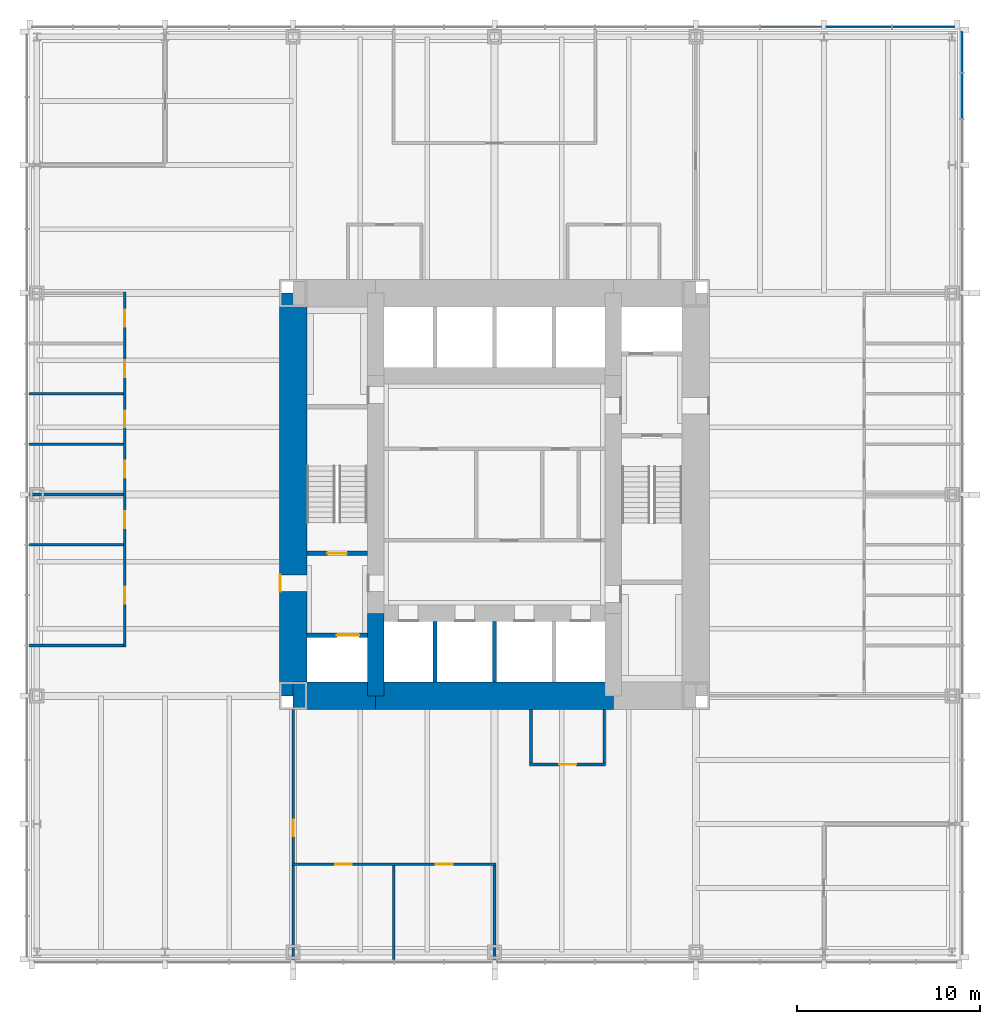
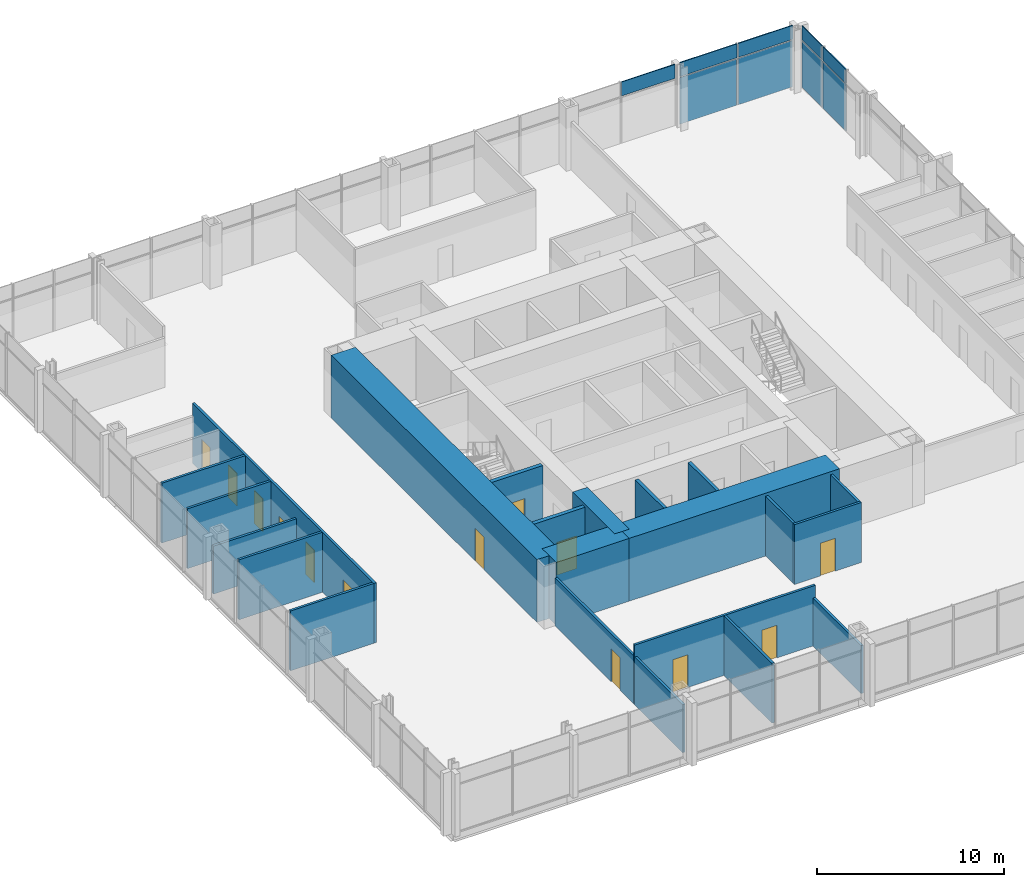
# One storey, part 9 of 13: 21 walls, 13 doors, 9 plates, 13 openings, 2 elements without a shape of their own.
"""IFC4 building model written with IfcOpenShell, lengths in metres."""

from ifc_helpers import new_model, si_unit, direction, frame, frame_2d, origin, origin_2d, place, context, subcontext, project, spatial, rectangle, extrude, material, layer, layer_set, type_object, element, fill, aggregate, save


model = new_model("IFC4")

# Units and contexts
model_context = context("Model", 3, precision=1e-05, world=origin(), true_north=direction((0.0, 1.0)))
body_context = subcontext(model_context, "Body", "Model", "MODEL_VIEW")
ifc_project = project(units=[si_unit("LENGTHUNIT", "METRE"), si_unit("AREAUNIT", "SQUARE_METRE"), si_unit("VOLUMEUNIT", "CUBIC_METRE"), si_unit("PLANEANGLEUNIT", "RADIAN"), si_unit("MASSUNIT", "GRAM", prefix="KILO")], contexts=[model_context])

# Site, building, storey
site_placement = place(None, origin())
site = spatial("IfcSite", under=ifc_project, at=site_placement, CompositionType="ELEMENT")
building_placement = place(site_placement, origin())
building = spatial("IfcBuilding", under=site, at=building_placement, Name="Trevanion Tower", CompositionType="ELEMENT")
storey_placement = place(building_placement, frame((0.0, 0.0, 81.60009765625)))
storey = spatial("IfcBuildingStorey", under=building, at=storey_placement, Name="L19", CompositionType="ELEMENT", Elevation=81.60009765625)

# Curtain wall, plates
ifc_material_1 = material(Name="Aluminium and glass", Category="aluminium")
curtain_wall_type = type_object("IfcCurtainWallType", Name="CW1 curtain wall", PredefinedType="USERDEFINED", material=ifc_material_1)
curtain_wall_1_placement = place(storey_placement, origin())
curtain_wall_1 = element("IfcCurtainWall", 1, at=curtain_wall_1_placement, inside=storey, type_object=curtain_wall_type, Name="CW1 L19 0", ObjectType="UNITISED CURTAIN WALL", PredefinedType="USERDEFINED")
ifc_material_2 = material(Name="Aluminium spandrel panel", Category="aluminium")
ifc_layer_1 = layer(ifc_material_2, 0.06005859375)
ifc_layer_set_1 = layer_set([ifc_layer_1], Name="CW1 spandrel panel")
plate_type_1 = type_object("IfcPlateType", Name="CW1 spandrel panel", PredefinedType="CURTAIN_PANEL", material=ifc_layer_set_1)
plate_1_placement = place(storey_placement, frame((25.550048828125, 21.77490234375, 2.997314453125), z_axis=(0.0, 0.0, 1.0), x_axis=(0.0, 1.0, 0.0)))
plate_1 = element("IfcPlate", 2, at=plate_1_placement, type_object=plate_type_1, Name="CW1 panel 16.2", PredefinedType="CURTAIN_PANEL", context=body_context, shape_type="SweptSolid", body=[
    extrude(rectangle(XDim=2.441650390625, YDim=0.06005859375, at=origin_2d()), origin(), (0.0, 0.0, 1.0), 0.91259765625),
])
plate_2_placement = place(storey_placement, frame((25.550048828125, 24.160400390625, 2.997314453125), z_axis=(0.0, 0.0, 1.0), x_axis=(0.0, 1.0, 0.0)))
plate_2 = element("IfcPlate", 3, at=plate_2_placement, type_object=plate_type_1, Name="CW1 panel 17.2", PredefinedType="CURTAIN_PANEL", context=body_context, shape_type="SweptSolid", body=[
    extrude(rectangle(XDim=2.17919921875, YDim=0.06005859375, at=origin_2d()), origin(), (0.0, 0.0, 1.0), 0.91259765625),
])

curtain_wall_2_placement = place(storey_placement, origin())
curtain_wall_2 = element("IfcCurtainWall", 4, at=curtain_wall_2_placement, inside=storey, type_object=curtain_wall_type, Name="CW1 L19 1", ObjectType="UNITISED CURTAIN WALL", PredefinedType="USERDEFINED")
plate_3_placement = place(storey_placement, frame((23.433837890625, 25.550048828125, 2.997314453125), z_axis=(0.0, 0.0, 1.0), x_axis=(-1.0, 0.0, 0.0)))
plate_3 = element("IfcPlate", 5, at=plate_3_placement, type_object=plate_type_1, Name="CW1 panel 1.2", PredefinedType="CURTAIN_PANEL", context=body_context, shape_type="SweptSolid", body=[
    extrude(rectangle(XDim=3.37255859375, YDim=0.06005859375, at=origin_2d()), origin(), (0.0, 0.0, 1.0), 0.91259765625),
])
plate_4_placement = place(storey_placement, frame((19.911376953125, 25.550048828125, 2.997314453125), z_axis=(0.0, 0.0, 1.0), x_axis=(-1.0, 0.0, 0.0)))
plate_4 = element("IfcPlate", 6, at=plate_4_placement, type_object=plate_type_1, Name="CW1 panel 2.2", PredefinedType="CURTAIN_PANEL", context=body_context, shape_type="SweptSolid", body=[
    extrude(rectangle(XDim=3.5224609375, YDim=0.06005859375, at=origin_2d()), origin(), (0.0, 0.0, 1.0), 0.91259765625),
])
plate_5_placement = place(storey_placement, frame((16.19384765625, 25.550048828125, 2.997314453125), z_axis=(0.0, 0.0, 1.0), x_axis=(-1.0, 0.0, 0.0)))
plate_5 = element("IfcPlate", 7, at=plate_5_placement, type_object=plate_type_1, Name="CW1 panel 3.2", PredefinedType="CURTAIN_PANEL", context=body_context, shape_type="SweptSolid", body=[
    extrude(rectangle(XDim=3.3125, YDim=0.06005859375, at=origin_2d()), origin(), (0.0, 0.0, 1.0), 0.91259765625),
])

# Plate
ifc_material_3 = material(Name="Insulating glass unit", Category="glass")
ifc_layer_2 = layer(ifc_material_3, 0.028076171875)
ifc_layer_set_2 = layer_set([ifc_layer_2], Name="CW1 vision panel")
plate_type_2 = type_object("IfcPlateType", Name="CW1 vision panel", PredefinedType="CURTAIN_PANEL", material=ifc_layer_set_2)
plate_6_placement = place(storey_placement, frame((25.550048828125, 21.77490234375, -0.115234375), z_axis=(0.0, 0.0, 1.0), x_axis=(0.0, 1.0, 0.0)))
plate_6 = element("IfcPlate", 8, at=plate_6_placement, type_object=plate_type_2, Name="CW1 panel 16.1", PredefinedType="CURTAIN_PANEL", context=body_context, shape_type="SweptSolid", body=[
    extrude(rectangle(XDim=2.441650390625, YDim=0.028076171875, at=origin_2d()), origin(), (0.0, 0.0, 1.0), 3.03759765625),
])

plate_7_placement = place(storey_placement, frame((25.550048828125, 24.160400390625, -0.115234375), z_axis=(0.0, 0.0, 1.0), x_axis=(0.0, 1.0, 0.0)))
plate_7 = element("IfcPlate", 9, at=plate_7_placement, type_object=plate_type_2, Name="CW1 panel 17.1", PredefinedType="CURTAIN_PANEL", context=body_context, shape_type="SweptSolid", body=[
    extrude(rectangle(XDim=2.17919921875, YDim=0.028076171875, at=origin_2d()), origin(), (0.0, 0.0, 1.0), 3.03759765625),
])

aggregate(curtain_wall_1, [plate_6, plate_1, plate_7, plate_2])

plate_8_placement = place(storey_placement, frame((23.433837890625, 25.550048828125, -0.115234375), z_axis=(0.0, 0.0, 1.0), x_axis=(-1.0, 0.0, 0.0)))
plate_8 = element("IfcPlate", 10, at=plate_8_placement, type_object=plate_type_2, Name="CW1 panel 1.1", PredefinedType="CURTAIN_PANEL", context=body_context, shape_type="SweptSolid", body=[
    extrude(rectangle(XDim=3.37255859375, YDim=0.028076171875, at=origin_2d()), origin(), (0.0, 0.0, 1.0), 3.03759765625),
])

plate_9_placement = place(storey_placement, frame((19.911376953125, 25.550048828125, -0.115234375), z_axis=(0.0, 0.0, 1.0), x_axis=(-1.0, 0.0, 0.0)))
plate_9 = element("IfcPlate", 11, at=plate_9_placement, type_object=plate_type_2, Name="CW1 panel 2.1", PredefinedType="CURTAIN_PANEL", context=body_context, shape_type="SweptSolid", body=[
    extrude(rectangle(XDim=3.5224609375, YDim=0.028076171875, at=origin_2d()), origin(), (0.0, 0.0, 1.0), 3.03759765625),
])

aggregate(curtain_wall_2, [plate_8, plate_3, plate_9, plate_4, plate_5])

# Wall, opening, door
ifc_material_4 = material(Name="Concrete 10,000 psi", Category="concrete")
ifc_layer_3 = layer(ifc_material_4, 1.5)
ifc_layer_set_3 = layer_set([ifc_layer_3], Name="CW1 core wall 1500")
wall_type_1 = type_object("IfcWallType", Name="CW1 core wall 1500", PredefinedType="SHEAR", material=ifc_layer_set_3)
wall_1_placement = place(storey_placement, frame((-11.0, 11.0, 0.0), z_axis=(0.0, 0.0, 1.0), x_axis=(0.0, -1.0, 0.0)))
wall_1 = element("IfcWall", 12, at=wall_1_placement, inside=storey, type_object=wall_type_1, Name="CW1 CW L19", PredefinedType="SHEAR", context=body_context, shape_type="SweptSolid", body=[
    extrude(rectangle(XDim=22.0, YDim=1.5, at=frame_2d((11.0, 0.0))), origin(), (0.0, 0.0, 1.0), 4.099853515625),
])
opening_1_placement = place(wall_1_placement, frame((15.392578125, 0.0, 0.0)))
opening_1 = element("IfcOpeningElement", 13, at=opening_1_placement, cuts=wall_1, Name="Opening 19-002", PredefinedType="OPENING", context=body_context, shape_type="SweptSolid", body=[
    extrude(rectangle(XDim=0.9150390625, YDim=2.134033203125, at=frame_2d((0.45751953125, 1.06689453125))), frame((0.0, 0.760009765625, 0.0), z_axis=(0.0, -1.0, 0.0), x_axis=(1.0, 0.0, 0.0)), (0.0, 0.0, 1.0), 1.52001953125),
])
ifc_material_5 = material(Name="Hollow metal, fire rated", Category="steel")
door_type_1 = type_object("IfcDoorType", Name="D3 fire lift lobby door", OperationType="SINGLE_SWING_RIGHT", PredefinedType="DOOR", material=ifc_material_5)
door_1_placement = place(opening_1_placement, origin())
door_1 = element("IfcDoor", 14, at=door_1_placement, inside=storey, type_object=door_type_1, Name="Door 19-002", OperationType="SINGLE_SWING_RIGHT", OverallHeight=2.134033203125, OverallWidth=0.9150390625, PredefinedType="DOOR", context=body_context, shape_type="SweptSolid", body=[
    extrude(rectangle(XDim=0.9150390625, YDim=2.134033203125, at=frame_2d((0.45751953125, 1.06689453125))), frame((0.0, -0.6748046875, 0.0), z_axis=(0.0, -1.0, 0.0), x_axis=(1.0, 0.0, 0.0)), (0.0, 0.0, 1.0), 0.050048828125),
])
fill(opening_1, door_1)

# Walls
wall_2_placement = place(storey_placement, frame((-11.0, -11.0, 0.0), z_axis=(0.0, 0.0, 1.0), x_axis=(1.0, 0.0, 0.0)))
element("IfcWall", 15, at=wall_2_placement, inside=storey, type_object=wall_type_1, Name="CW1 CS1 L19", PredefinedType="SHEAR", context=body_context, shape_type="SweptSolid", body=[
    extrude(rectangle(XDim=4.5, YDim=1.5, at=frame_2d((2.25, 0.0))), origin(), (0.0, 0.0, 1.0), 4.099853515625),
])
wall_3_placement = place(storey_placement, frame((-6.5, -11.0, 0.0), z_axis=(0.0, 0.0, 1.0), x_axis=(1.0, 0.0, 0.0)))
element("IfcWall", 16, at=wall_3_placement, inside=storey, type_object=wall_type_1, Name="CW1 CS2 L19", PredefinedType="SHEAR", context=body_context, shape_type="SweptSolid", body=[
    extrude(rectangle(XDim=13.0, YDim=1.5, at=frame_2d((6.5, 0.0))), origin(), (0.0, 0.0, 1.0), 4.099853515625),
])
ifc_material_6 = material(Name="Concrete 10,000 psi", Category="concrete")
ifc_layer_4 = layer(ifc_material_6, 0.89990234375)
ifc_layer_set_4 = layer_set([ifc_layer_4], Name="CW2 core wall 900")
wall_type_2 = type_object("IfcWallType", Name="CW2 core wall 900", PredefinedType="SHEAR", material=ifc_layer_set_4)
wall_4_placement = place(storey_placement, frame((-6.5, -6.5, 0.0), z_axis=(0.0, 0.0, 1.0), x_axis=(0.0, -1.0, 0.0)))
element("IfcWall", 17, at=wall_4_placement, inside=storey, type_object=wall_type_2, Name="CW2 RW3 L19", PredefinedType="SHEAR", context=body_context, shape_type="SweptSolid", body=[
    extrude(rectangle(XDim=4.5, YDim=0.89990234375, at=frame_2d((2.25, 0.0))), origin(), (0.0, 0.0, 1.0), 4.099853515625),
])

# Wall, opening, door
ifc_material_7 = material(Name="Gypsum board on steel studs", Category="steel")
ifc_layer_5 = layer(ifc_material_7, 0.14990234375)
ifc_layer_set_5 = layer_set([ifc_layer_5], Name="PT1 partition 150")
wall_type_3 = type_object("IfcWallType", Name="PT1 partition 150", PredefinedType="PARTITIONING", material=ifc_layer_set_5)
wall_5_placement = place(storey_placement, frame((-11.0, -11.75, 0.0), z_axis=(0.0, 0.0, 1.0), x_axis=(0.0, -1.0, 0.0)))
wall_5 = element("IfcWall", 18, at=wall_5_placement, inside=storey, type_object=wall_type_3, Name="PT1 L19 ZW2", PredefinedType="PARTITIONING", context=body_context, shape_type="SweptSolid", body=[
    extrude(rectangle(XDim=13.6650390625, YDim=0.14990234375, at=frame_2d((6.83251953125, 0.0))), origin(), (0.0, 0.0, 1.0), 3.130126953125),
])
opening_2_placement = place(wall_5_placement, frame((6.017578125, 0.0, 0.0)))
opening_2 = element("IfcOpeningElement", 19, at=opening_2_placement, cuts=wall_5, Name="Opening 19-020", PredefinedType="OPENING", context=body_context, shape_type="SweptSolid", body=[
    extrude(rectangle(XDim=0.9150390625, YDim=2.134033203125, at=frame_2d((0.45751953125, 1.06689453125))), frame((0.0, 0.0849609375, 0.0), z_axis=(0.0, -1.0, 0.0), x_axis=(1.0, 0.0, 0.0)), (0.0, 0.0, 1.0), 0.169921875),
])
ifc_material_8 = material(Name="Timber veneer, solid core", Category="wood")
door_type_2 = type_object("IfcDoorType", Name="D1 office and meeting room door", OperationType="SINGLE_SWING_LEFT", PredefinedType="DOOR", material=ifc_material_8)
door_2_placement = place(opening_2_placement, origin())
door_2 = element("IfcDoor", 20, at=door_2_placement, inside=storey, type_object=door_type_2, Name="Door 19-020", OperationType="SINGLE_SWING_LEFT", OverallHeight=2.134033203125, OverallWidth=0.9150390625, PredefinedType="DOOR", context=body_context, shape_type="SweptSolid", body=[
    extrude(rectangle(XDim=0.9150390625, YDim=2.134033203125, at=frame_2d((0.45751953125, 1.06689453125))), frame((0.0, 0.02490234375, 0.0), z_axis=(0.0, -1.0, 0.0), x_axis=(1.0, 0.0, 0.0)), (0.0, 0.0, 1.0), 0.050048828125),
])
fill(opening_2, door_2)

# Wall, openings, doors
wall_6_placement = place(storey_placement, frame((-20.199951171875, 11.074951171875, 0.0), z_axis=(0.0, 0.0, 1.0), x_axis=(0.0, -1.0, 0.0)))
wall_6 = element("IfcWall", 21, at=wall_6_placement, inside=storey, type_object=wall_type_3, Name="PT1 L19 FC2F", PredefinedType="PARTITIONING", context=body_context, shape_type="SweptSolid", body=[
    extrude(rectangle(XDim=19.39990234375, YDim=0.14990234375, at=frame_2d((9.699951171875, 0.0))), origin(), (0.0, 0.0, 1.0), 3.909912109375),
])
opening_3_placement = place(wall_6_placement, frame((0.992431640625, 0.0, 0.0)))
opening_3 = element("IfcOpeningElement", 22, at=opening_3_placement, cuts=wall_6, Name="Opening 19-032", PredefinedType="OPENING", context=body_context, shape_type="SweptSolid", body=[
    extrude(rectangle(XDim=0.9150390625, YDim=2.134033203125, at=frame_2d((0.45751953125, 1.06689453125))), frame((0.0, 0.0849609375, 0.0), z_axis=(0.0, -1.0, 0.0), x_axis=(1.0, 0.0, 0.0)), (0.0, 0.0, 1.0), 0.169921875),
])
opening_4_placement = place(wall_6_placement, frame((3.742431640625, 0.0, 0.0)))
opening_4 = element("IfcOpeningElement", 23, at=opening_4_placement, cuts=wall_6, Name="Opening 19-033", PredefinedType="OPENING", context=body_context, shape_type="SweptSolid", body=[
    extrude(rectangle(XDim=0.9150390625, YDim=2.134033203125, at=frame_2d((0.45751953125, 1.06689453125))), frame((0.0, 0.0849609375, 0.0), z_axis=(0.0, -1.0, 0.0), x_axis=(1.0, 0.0, 0.0)), (0.0, 0.0, 1.0), 0.169921875),
])
opening_5_placement = place(wall_6_placement, frame((6.492431640625, 0.0, 0.0)))
opening_5 = element("IfcOpeningElement", 24, at=opening_5_placement, cuts=wall_6, Name="Opening 19-034", PredefinedType="OPENING", context=body_context, shape_type="SweptSolid", body=[
    extrude(rectangle(XDim=0.9150390625, YDim=2.134033203125, at=frame_2d((0.45751953125, 1.06689453125))), frame((0.0, 0.0849609375, 0.0), z_axis=(0.0, -1.0, 0.0), x_axis=(1.0, 0.0, 0.0)), (0.0, 0.0, 1.0), 0.169921875),
])
opening_6_placement = place(wall_6_placement, frame((9.242431640625, 0.0, 0.0)))
opening_6 = element("IfcOpeningElement", 25, at=opening_6_placement, cuts=wall_6, Name="Opening 19-035", PredefinedType="OPENING", context=body_context, shape_type="SweptSolid", body=[
    extrude(rectangle(XDim=0.9150390625, YDim=2.134033203125, at=frame_2d((0.45751953125, 1.06689453125))), frame((0.0, 0.0849609375, 0.0), z_axis=(0.0, -1.0, 0.0), x_axis=(1.0, 0.0, 0.0)), (0.0, 0.0, 1.0), 0.169921875),
])
opening_7_placement = place(wall_6_placement, frame((11.992431640625, 0.0, 0.0)))
opening_7 = element("IfcOpeningElement", 26, at=opening_7_placement, cuts=wall_6, Name="Opening 19-036", PredefinedType="OPENING", context=body_context, shape_type="SweptSolid", body=[
    extrude(rectangle(XDim=0.9150390625, YDim=2.134033203125, at=frame_2d((0.45751953125, 1.06689453125))), frame((0.0, 0.0849609375, 0.0), z_axis=(0.0, -1.0, 0.0), x_axis=(1.0, 0.0, 0.0)), (0.0, 0.0, 1.0), 0.169921875),
])
opening_8_placement = place(wall_6_placement, frame((16.117431640625, 0.0, 0.0)))
opening_8 = element("IfcOpeningElement", 27, at=opening_8_placement, cuts=wall_6, Name="Opening 19-037", PredefinedType="OPENING", context=body_context, shape_type="SweptSolid", body=[
    extrude(rectangle(XDim=0.9150390625, YDim=2.134033203125, at=frame_2d((0.45751953125, 1.06689453125))), frame((0.0, 0.0849609375, 0.0), z_axis=(0.0, -1.0, 0.0), x_axis=(1.0, 0.0, 0.0)), (0.0, 0.0, 1.0), 0.169921875),
])
door_3_placement = place(opening_3_placement, origin())
door_3 = element("IfcDoor", 28, at=door_3_placement, inside=storey, type_object=door_type_2, Name="Door 19-032", OperationType="SINGLE_SWING_LEFT", OverallHeight=2.134033203125, OverallWidth=0.9150390625, PredefinedType="DOOR", context=body_context, shape_type="SweptSolid", body=[
    extrude(rectangle(XDim=0.9150390625, YDim=2.134033203125, at=frame_2d((0.45751953125, 1.06689453125))), frame((0.0, 0.02490234375, 0.0), z_axis=(0.0, -1.0, 0.0), x_axis=(1.0, 0.0, 0.0)), (0.0, 0.0, 1.0), 0.050048828125),
])
fill(opening_3, door_3)
door_4_placement = place(opening_4_placement, origin())
door_4 = element("IfcDoor", 29, at=door_4_placement, inside=storey, type_object=door_type_2, Name="Door 19-033", OperationType="SINGLE_SWING_LEFT", OverallHeight=2.134033203125, OverallWidth=0.9150390625, PredefinedType="DOOR", context=body_context, shape_type="SweptSolid", body=[
    extrude(rectangle(XDim=0.9150390625, YDim=2.134033203125, at=frame_2d((0.45751953125, 1.06689453125))), frame((0.0, 0.02490234375, 0.0), z_axis=(0.0, -1.0, 0.0), x_axis=(1.0, 0.0, 0.0)), (0.0, 0.0, 1.0), 0.050048828125),
])
fill(opening_4, door_4)
door_5_placement = place(opening_5_placement, origin())
door_5 = element("IfcDoor", 30, at=door_5_placement, inside=storey, type_object=door_type_2, Name="Door 19-034", OperationType="SINGLE_SWING_LEFT", OverallHeight=2.134033203125, OverallWidth=0.9150390625, PredefinedType="DOOR", context=body_context, shape_type="SweptSolid", body=[
    extrude(rectangle(XDim=0.9150390625, YDim=2.134033203125, at=frame_2d((0.45751953125, 1.06689453125))), frame((0.0, 0.02490234375, 0.0), z_axis=(0.0, -1.0, 0.0), x_axis=(1.0, 0.0, 0.0)), (0.0, 0.0, 1.0), 0.050048828125),
])
fill(opening_5, door_5)
door_6_placement = place(opening_6_placement, origin())
door_6 = element("IfcDoor", 31, at=door_6_placement, inside=storey, type_object=door_type_2, Name="Door 19-035", OperationType="SINGLE_SWING_LEFT", OverallHeight=2.134033203125, OverallWidth=0.9150390625, PredefinedType="DOOR", context=body_context, shape_type="SweptSolid", body=[
    extrude(rectangle(XDim=0.9150390625, YDim=2.134033203125, at=frame_2d((0.45751953125, 1.06689453125))), frame((0.0, 0.02490234375, 0.0), z_axis=(0.0, -1.0, 0.0), x_axis=(1.0, 0.0, 0.0)), (0.0, 0.0, 1.0), 0.050048828125),
])
fill(opening_6, door_6)
door_7_placement = place(opening_7_placement, origin())
door_7 = element("IfcDoor", 32, at=door_7_placement, inside=storey, type_object=door_type_2, Name="Door 19-036", OperationType="SINGLE_SWING_LEFT", OverallHeight=2.134033203125, OverallWidth=0.9150390625, PredefinedType="DOOR", context=body_context, shape_type="SweptSolid", body=[
    extrude(rectangle(XDim=0.9150390625, YDim=2.134033203125, at=frame_2d((0.45751953125, 1.06689453125))), frame((0.0, 0.02490234375, 0.0), z_axis=(0.0, -1.0, 0.0), x_axis=(1.0, 0.0, 0.0)), (0.0, 0.0, 1.0), 0.050048828125),
])
fill(opening_7, door_7)
door_8_placement = place(opening_8_placement, origin())
door_8 = element("IfcDoor", 33, at=door_8_placement, inside=storey, type_object=door_type_2, Name="Door 19-037", OperationType="SINGLE_SWING_LEFT", OverallHeight=2.134033203125, OverallWidth=0.9150390625, PredefinedType="DOOR", context=body_context, shape_type="SweptSolid", body=[
    extrude(rectangle(XDim=0.9150390625, YDim=2.134033203125, at=frame_2d((0.45751953125, 1.06689453125))), frame((0.0, 0.02490234375, 0.0), z_axis=(0.0, -1.0, 0.0), x_axis=(1.0, 0.0, 0.0)), (0.0, 0.0, 1.0), 0.050048828125),
])
fill(opening_8, door_8)

# Walls
for number, where, z_axis, x_axis, name in (
    (34, (-20.27490234375, 5.5, 0.0), (0.0, 0.0, 1.0), (-1.0, 0.0, 0.0), "PT1 L19 FC2S2"),
    (35, (-20.27490234375, 2.75, 0.0), (0.0, 0.0, 1.0), (-1.0, 0.0, 0.0), "PT1 L19 FC2S3"),
):
    element("IfcWall", number, at=place(storey_placement, frame(where, z_axis=z_axis, x_axis=x_axis)), inside=storey, type_object=wall_type_3, Name=name, PredefinedType="PARTITIONING", context=body_context, shape_type="SweptSolid", body=[
        extrude(rectangle(XDim=5.14013671875, YDim=0.14990234375, at=frame_2d((2.570068359375, 0.0))), origin(), (0.0, 0.0, 1.0), 3.909912109375),
    ])
wall_7_placement = place(storey_placement, frame((-20.27490234375, 0.0, 0.0), z_axis=(0.0, 0.0, 1.0), x_axis=(-1.0, 0.0, 0.0)))
element("IfcWall", 36, at=wall_7_placement, inside=storey, type_object=wall_type_3, Name="PT1 L19 FC2S4", PredefinedType="PARTITIONING", context=body_context, shape_type="SweptSolid", body=[
    extrude(rectangle(XDim=5.14013671875, YDim=0.14990234375, at=frame_2d((2.570068359375, 0.0))), origin(), (0.0, 0.0, 1.0), 3.130126953125),
])
for number, where, z_axis, x_axis, name in (
    (37, (-20.27490234375, -2.75, 0.0), (0.0, 0.0, 1.0), (-1.0, 0.0, 0.0), "PT1 L19 FC2S5"),
    (38, (-20.27490234375, -8.25, 0.0), (0.0, 0.0, 1.0), (-1.0, 0.0, 0.0), "PT1 L19 FC2S7"),
):
    element("IfcWall", number, at=place(storey_placement, frame(where, z_axis=z_axis, x_axis=x_axis)), inside=storey, type_object=wall_type_3, Name=name, PredefinedType="PARTITIONING", context=body_context, shape_type="SweptSolid", body=[
        extrude(rectangle(XDim=5.14013671875, YDim=0.14990234375, at=frame_2d((2.570068359375, 0.0))), origin(), (0.0, 0.0, 1.0), 3.909912109375),
    ])

# Wall, openings, doors
wall_8_placement = place(storey_placement, frame((-11.074951171875, -20.199951171875, 0.0), z_axis=(0.0, 0.0, 1.0), x_axis=(1.0, 0.0, 0.0)))
wall_8 = element("IfcWall", 39, at=wall_8_placement, inside=storey, type_object=wall_type_3, Name="PT1 L19 FC3F", PredefinedType="PARTITIONING", context=body_context, shape_type="SweptSolid", body=[
    extrude(rectangle(XDim=11.14990234375, YDim=0.14990234375, at=frame_2d((5.574951171875, 0.0))), origin(), (0.0, 0.0, 1.0), 3.909912109375),
])
opening_9_placement = place(wall_8_placement, frame((2.367431640625, 0.0, 0.0)))
opening_9 = element("IfcOpeningElement", 40, at=opening_9_placement, cuts=wall_8, Name="Opening 19-039", PredefinedType="OPENING", context=body_context, shape_type="SweptSolid", body=[
    extrude(rectangle(XDim=0.9150390625, YDim=2.134033203125, at=frame_2d((0.45751953125, 1.06689453125))), frame((0.0, 0.0849609375, 0.0), z_axis=(0.0, -1.0, 0.0), x_axis=(1.0, 0.0, 0.0)), (0.0, 0.0, 1.0), 0.169921875),
])
opening_10_placement = place(wall_8_placement, frame((7.867431640625, 0.0, 0.0)))
opening_10 = element("IfcOpeningElement", 41, at=opening_10_placement, cuts=wall_8, Name="Opening 19-040", PredefinedType="OPENING", context=body_context, shape_type="SweptSolid", body=[
    extrude(rectangle(XDim=0.9150390625, YDim=2.134033203125, at=frame_2d((0.45751953125, 1.06689453125))), frame((0.0, 0.0849609375, 0.0), z_axis=(0.0, -1.0, 0.0), x_axis=(1.0, 0.0, 0.0)), (0.0, 0.0, 1.0), 0.169921875),
])
door_9_placement = place(opening_9_placement, origin())
door_9 = element("IfcDoor", 42, at=door_9_placement, inside=storey, type_object=door_type_2, Name="Door 19-039", OperationType="SINGLE_SWING_LEFT", OverallHeight=2.134033203125, OverallWidth=0.9150390625, PredefinedType="DOOR", context=body_context, shape_type="SweptSolid", body=[
    extrude(rectangle(XDim=0.9150390625, YDim=2.134033203125, at=frame_2d((0.45751953125, 1.06689453125))), frame((0.0, 0.02490234375, 0.0), z_axis=(0.0, -1.0, 0.0), x_axis=(1.0, 0.0, 0.0)), (0.0, 0.0, 1.0), 0.050048828125),
])
fill(opening_9, door_9)
door_10_placement = place(opening_10_placement, origin())
door_10 = element("IfcDoor", 43, at=door_10_placement, inside=storey, type_object=door_type_2, Name="Door 19-040", OperationType="SINGLE_SWING_LEFT", OverallHeight=2.134033203125, OverallWidth=0.9150390625, PredefinedType="DOOR", context=body_context, shape_type="SweptSolid", body=[
    extrude(rectangle(XDim=0.9150390625, YDim=2.134033203125, at=frame_2d((0.45751953125, 1.06689453125))), frame((0.0, 0.02490234375, 0.0), z_axis=(0.0, -1.0, 0.0), x_axis=(1.0, 0.0, 0.0)), (0.0, 0.0, 1.0), 0.050048828125),
])
fill(opening_10, door_10)

# Walls
wall_9_placement = place(storey_placement, frame((-5.5, -20.27490234375, 0.0), z_axis=(0.0, 0.0, 1.0), x_axis=(0.0, -1.0, 0.0)))
element("IfcWall", 44, at=wall_9_placement, inside=storey, type_object=wall_type_3, Name="PT1 L19 FC3S2", PredefinedType="PARTITIONING", context=body_context, shape_type="SweptSolid", body=[
    extrude(rectangle(XDim=5.14013671875, YDim=0.14990234375, at=frame_2d((2.570068359375, 0.0))), origin(), (0.0, 0.0, 1.0), 3.909912109375),
])
wall_10_placement = place(storey_placement, frame((0.0, -20.27490234375, 0.0), z_axis=(0.0, 0.0, 1.0), x_axis=(0.0, -1.0, 0.0)))
element("IfcWall", 45, at=wall_10_placement, inside=storey, type_object=wall_type_3, Name="PT1 L19 FC3S4", PredefinedType="PARTITIONING", context=body_context, shape_type="SweptSolid", body=[
    extrude(rectangle(XDim=5.14013671875, YDim=0.14990234375, at=frame_2d((2.570068359375, 0.0))), origin(), (0.0, 0.0, 1.0), 3.130126953125),
])

# Wall, opening, door
wall_11_placement = place(storey_placement, frame((1.925048828125, -14.75, 0.0), z_axis=(0.0, 0.0, 1.0), x_axis=(1.0, 0.0, 0.0)))
wall_11 = element("IfcWall", 46, at=wall_11_placement, inside=storey, type_object=wall_type_3, Name="PT1 L19 IN30F", PredefinedType="PARTITIONING", context=body_context, shape_type="SweptSolid", body=[
    extrude(rectangle(XDim=4.14990234375, YDim=0.14990234375, at=frame_2d((2.074951171875, 0.0))), origin(), (0.0, 0.0, 1.0), 3.909912109375),
])
opening_11_placement = place(wall_11_placement, frame((1.617431640625, 0.0, 0.0)))
opening_11 = element("IfcOpeningElement", 47, at=opening_11_placement, cuts=wall_11, Name="Opening 19-043", PredefinedType="OPENING", context=body_context, shape_type="SweptSolid", body=[
    extrude(rectangle(XDim=0.9150390625, YDim=2.134033203125, at=frame_2d((0.45751953125, 1.06689453125))), frame((0.0, 0.0849609375, 0.0), z_axis=(0.0, -1.0, 0.0), x_axis=(1.0, 0.0, 0.0)), (0.0, 0.0, 1.0), 0.169921875),
])
door_11_placement = place(opening_11_placement, origin())
door_11 = element("IfcDoor", 48, at=door_11_placement, inside=storey, type_object=door_type_2, Name="Door 19-043", OperationType="SINGLE_SWING_LEFT", OverallHeight=2.134033203125, OverallWidth=0.9150390625, PredefinedType="DOOR", context=body_context, shape_type="SweptSolid", body=[
    extrude(rectangle(XDim=0.9150390625, YDim=2.134033203125, at=frame_2d((0.45751953125, 1.06689453125))), frame((0.0, 0.02490234375, 0.0), z_axis=(0.0, -1.0, 0.0), x_axis=(1.0, 0.0, 0.0)), (0.0, 0.0, 1.0), 0.050048828125),
])
fill(opening_11, door_11)

# Walls
for number, where, z_axis, x_axis, name in (
    (49, (2.0, -14.675048828125, 0.0), (0.0, 0.0, 1.0), (0.0, 1.0, 0.0), "PT1 L19 IN30S0"),
    (50, (6.0, -14.675048828125, 0.0), (0.0, 0.0, 1.0), (0.0, 1.0, 0.0), "PT1 L19 IN30S1"),
):
    element("IfcWall", number, at=place(storey_placement, frame(where, z_axis=z_axis, x_axis=x_axis)), inside=storey, type_object=wall_type_3, Name=name, PredefinedType="PARTITIONING", context=body_context, shape_type="SweptSolid", body=[
        extrude(rectangle(XDim=2.925048828125, YDim=0.14990234375, at=frame_2d((1.46240234375, 0.0))), origin(), (0.0, 0.0, 1.0), 3.909912109375),
    ])
ifc_material_9 = material(Name="Concrete masonry, grouted", Category="masonry")
ifc_layer_6 = layer(ifc_material_9, 0.199951171875)
ifc_layer_set_6 = layer_set([ifc_layer_6], Name="PT2 partition 200 2 HR")
wall_type_4 = type_object("IfcWallType", Name="PT2 partition 200 2 HR", PredefinedType="PARTITIONING", material=ifc_layer_set_6)
for number, where, z_axis, x_axis, name in (
    (51, (-3.25, -10.25, 0.0), (0.0, 0.0, 1.0), (0.0, 1.0, 0.0), "PT2 L19 SS0"),
    (52, (0.0, -10.25, 0.0), (0.0, 0.0, 1.0), (0.0, 1.0, 0.0), "PT2 L19 SS1"),
):
    element("IfcWall", number, at=place(storey_placement, frame(where, z_axis=z_axis, x_axis=x_axis)), inside=storey, type_object=wall_type_4, Name=name, PredefinedType="PARTITIONING", context=body_context, shape_type="SweptSolid", body=[
        extrude(rectangle(XDim=3.300048828125, YDim=0.199951171875, at=frame_2d((1.64990234375, 0.0))), origin(), (0.0, 0.0, 1.0), 3.909912109375),
    ])

# Wall, opening, door
ifc_material_10 = material(Name="Concrete masonry, grouted, two-hour", Category="masonry")
ifc_layer_7 = layer(ifc_material_10, 0.25)
ifc_layer_set_7 = layer_set([ifc_layer_7], Name="PT3 partition 250 2 HR")
wall_type_5 = type_object("IfcWallType", Name="PT3 partition 250 2 HR", PredefinedType="PARTITIONING", material=ifc_layer_set_7)
wall_12_placement = place(storey_placement, frame((-6.949951171875, -7.699951171875, 0.0), z_axis=(0.0, 0.0, 1.0), x_axis=(-1.0, 0.0, 0.0)))
wall_12 = element("IfcWall", 53, at=wall_12_placement, inside=storey, type_object=wall_type_5, Name="PT3 L19 WP3", PredefinedType="PARTITIONING", context=body_context, shape_type="SweptSolid", body=[
    extrude(rectangle(XDim=3.300048828125, YDim=0.25, at=frame_2d((1.64990234375, 0.0))), origin(), (0.0, 0.0, 1.0), 3.909912109375),
])
opening_12_placement = place(wall_12_placement, frame((0.449951171875, 0.0, 0.0)))
opening_12 = element("IfcOpeningElement", 54, at=opening_12_placement, cuts=wall_12, Name="Opening 19-008", PredefinedType="OPENING", context=body_context, shape_type="SweptSolid", body=[
    extrude(rectangle(XDim=1.218994140625, YDim=2.134033203125, at=frame_2d((0.609375, 1.06689453125))), frame((0.0, 0.135009765625, 0.0), z_axis=(0.0, -1.0, 0.0), x_axis=(1.0, 0.0, 0.0)), (0.0, 0.0, 1.0), 0.27001953125),
])
ifc_material_11 = material(Name="Stainless steel, fire rated", Category="steel")
door_type_3 = type_object("IfcDoorType", Name="LD2 fire service lift landing door", OperationType="SLIDING_TO_LEFT", PredefinedType="DOOR", material=ifc_material_11)
door_12_placement = place(opening_12_placement, origin())
door_12 = element("IfcDoor", 55, at=door_12_placement, inside=storey, type_object=door_type_3, Name="Door 19-008", OperationType="SLIDING_TO_LEFT", OverallHeight=2.134033203125, OverallWidth=1.218994140625, PredefinedType="DOOR", context=body_context, shape_type="SweptSolid", body=[
    extrude(rectangle(XDim=1.218994140625, YDim=2.134033203125, at=frame_2d((0.609375, 1.06689453125))), frame((0.0, 0.02490234375, 0.0), z_axis=(0.0, -1.0, 0.0), x_axis=(1.0, 0.0, 0.0)), (0.0, 0.0, 1.0), 0.050048828125),
])
fill(opening_12, door_12)

ifc_material_12 = material(Name="Reinforced masonry, fully grouted", Category="masonry")
ifc_layer_8 = layer(ifc_material_12, 0.25)
ifc_layer_set_8 = layer_set([ifc_layer_8], Name="SW1 stair shaft wall 250")
wall_type_6 = type_object("IfcWallType", Name="SW1 stair shaft wall 250", PredefinedType="SOLIDWALL", material=ifc_layer_set_8)
wall_13_placement = place(storey_placement, frame((-6.949951171875, -3.199951171875, 0.0), z_axis=(0.0, 0.0, 1.0), x_axis=(-1.0, 0.0, 0.0)))
wall_13 = element("IfcWall", 56, at=wall_13_placement, inside=storey, type_object=wall_type_6, Name="SW1 L19 WP2", PredefinedType="SOLIDWALL", context=body_context, shape_type="SweptSolid", body=[
    extrude(rectangle(XDim=3.300048828125, YDim=0.25, at=frame_2d((1.64990234375, 0.0))), origin(), (0.0, 0.0, 1.0), 3.909912109375),
])
opening_13_placement = place(wall_13_placement, frame((1.116455078125, 0.0, 0.0)))
opening_13 = element("IfcOpeningElement", 57, at=opening_13_placement, cuts=wall_13, Name="Opening 19-006", PredefinedType="OPENING", context=body_context, shape_type="SweptSolid", body=[
    extrude(rectangle(XDim=1.06689453125, YDim=2.134033203125, at=frame_2d((0.533447265625, 1.06689453125))), frame((0.0, 0.135009765625, 0.0), z_axis=(0.0, -1.0, 0.0), x_axis=(1.0, 0.0, 0.0)), (0.0, 0.0, 1.0), 0.27001953125),
])
ifc_material_13 = material(Name="Hollow metal, fire rated", Category="steel")
door_type_4 = type_object("IfcDoorType", Name="D2 exit stair door", OperationType="SINGLE_SWING_LEFT", PredefinedType="DOOR", material=ifc_material_13)
door_13_placement = place(opening_13_placement, origin())
door_13 = element("IfcDoor", 58, at=door_13_placement, inside=storey, type_object=door_type_4, Name="Door 19-006", OperationType="SINGLE_SWING_LEFT", OverallHeight=2.134033203125, OverallWidth=1.06689453125, PredefinedType="DOOR", context=body_context, shape_type="SweptSolid", body=[
    extrude(rectangle(XDim=1.06689453125, YDim=2.134033203125, at=frame_2d((0.533447265625, 1.06689453125))), frame((0.0, 0.02490234375, 0.0), z_axis=(0.0, -1.0, 0.0), x_axis=(1.0, 0.0, 0.0)), (0.0, 0.0, 1.0), 0.050048828125),
])
fill(opening_13, door_13)

save(model, "model.ifc")
